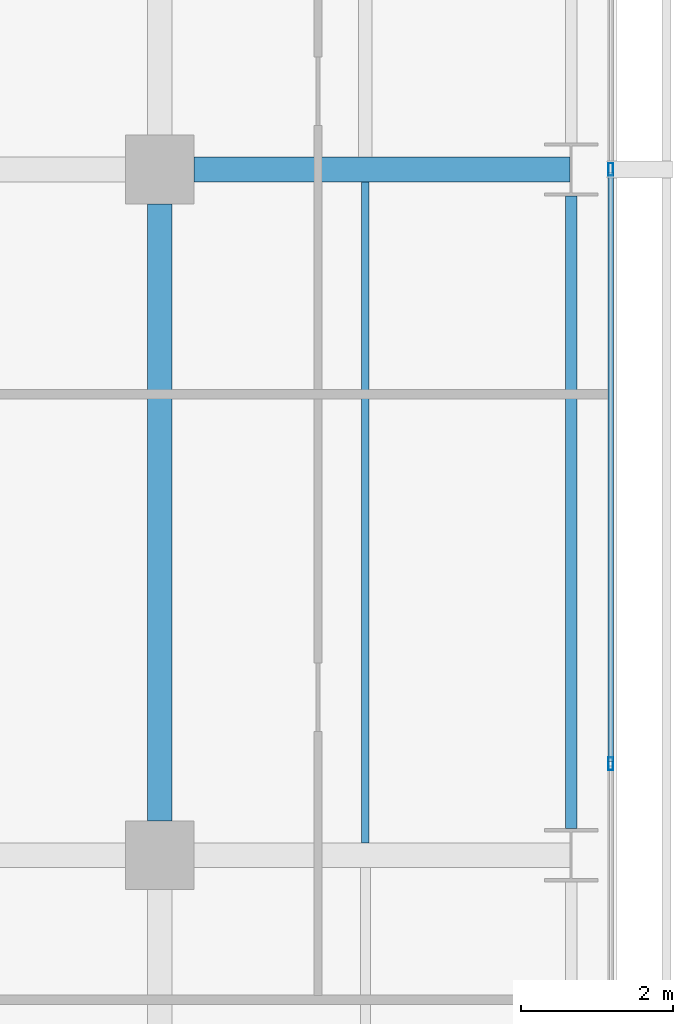
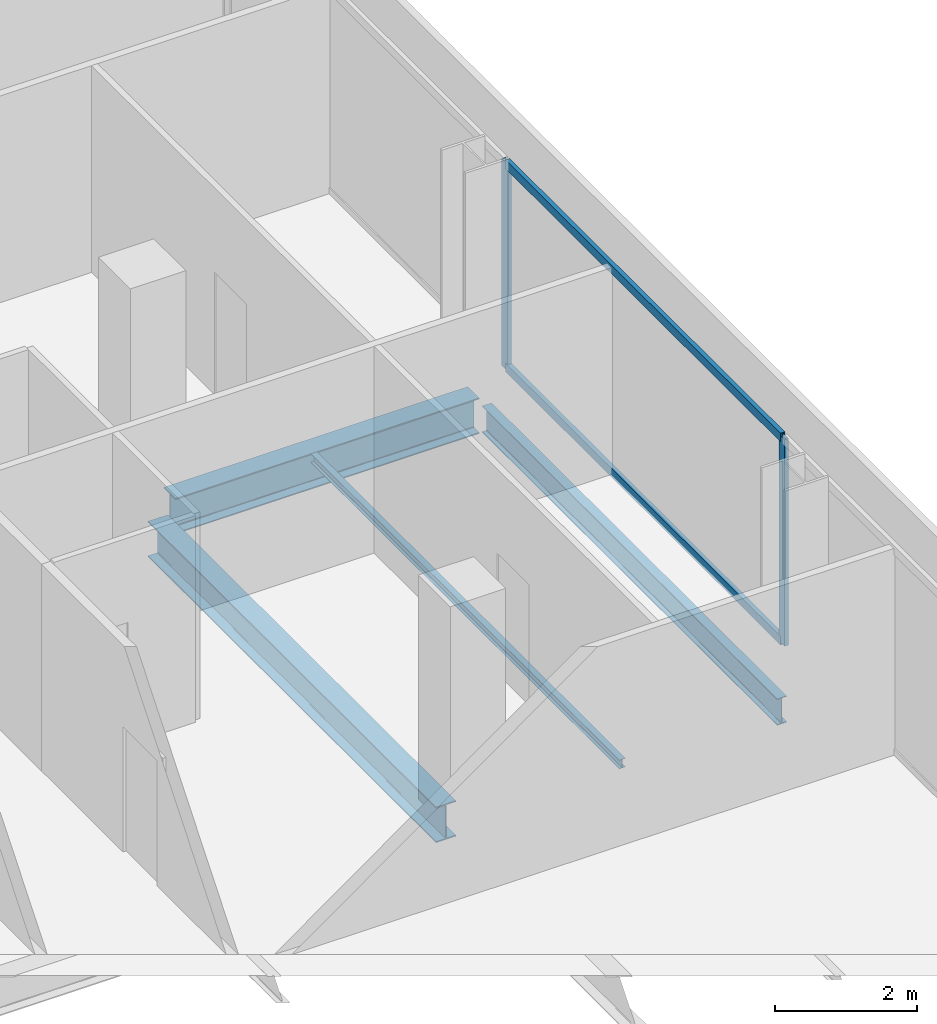
# One storey, part 19 of 39: 4 beams, 4 members, 1 element without a shape of its own.
"""IFC4 building model written with IfcOpenShell, lengths in metres."""

from ifc_helpers import new_model, si_unit, direction, frame, origin, origin_2d, place, context, subcontext, project, spatial, hollow_rectangle, i_section, extrude, material, layer, layer_set, material_profile, profile_set, type_object, element, aggregate, save


model = new_model("IFC4")

# Units and contexts
model_context = context("Model", 3, precision=1e-05, world=origin(), true_north=direction((0.0, 1.0)))
body_context = subcontext(model_context, "Body", "Model", "MODEL_VIEW")
ifc_project = project(units=[si_unit("LENGTHUNIT", "METRE"), si_unit("AREAUNIT", "SQUARE_METRE"), si_unit("VOLUMEUNIT", "CUBIC_METRE"), si_unit("PLANEANGLEUNIT", "RADIAN"), si_unit("MASSUNIT", "GRAM", prefix="KILO")], contexts=[model_context])

# Site, building, storey
site_placement = place(None, origin())
site = spatial("IfcSite", under=ifc_project, at=site_placement, CompositionType="ELEMENT")
building_placement = place(site_placement, origin())
building = spatial("IfcBuilding", under=site, at=building_placement, Name="Maruvema Waterfront Hotel and Observation Tower", CompositionType="ELEMENT")
storey_placement = place(building_placement, frame((0.0, 0.0, 111.64990234375)))
storey = spatial("IfcBuildingStorey", under=building, at=storey_placement, Name="L27", CompositionType="ELEMENT", Elevation=111.64990234375)

# Curtain wall, members
ifc_material_1 = material(Name="Anodised bronze aluminium and solar-control low-E IGU", Category="aluminium")
ifc_layer = layer(ifc_material_1, 0.159912109375, Name="Zone 1 Bronze Inner Thermal Curtain Wall System CW-02")
ifc_layer_set = layer_set([ifc_layer], Name="Anodised bronze aluminium and solar-control low-E IGU")
curtain_wall_type = type_object("IfcCurtainWallType", Name="Zone 1 Bronze Inner Thermal Curtain Wall System CW-02", PredefinedType="USERDEFINED", material=ifc_layer_set)
curtain_wall_placement = place(storey_placement, origin())
curtain_wall = element("IfcCurtainWall", 1, at=curtain_wall_placement, inside=storey, type_object=curtain_wall_type, Name="L27 Curtain Wall CW-L27-E", ObjectType="UNITISED CURTAIN WALL", PredefinedType="USERDEFINED")
ifc_material_2 = material(Name="Anodised architectural bronze aluminium", Category="aluminium")
ifc_material_profile_1 = material_profile(ifc_material_2, hollow_rectangle(XDim=0.070068359375, YDim=0.14990234375, WallThickness=0.00390625, at=origin_2d()), Name="ALU-T70x150")
ifc_profile_set_1 = profile_set([ifc_material_profile_1], Name="Anodised architectural bronze aluminium")
member_type_1 = type_object("IfcMemberType", Name="Curtain Wall Horizontal Transom ALU-T70x150", PredefinedType="USERDEFINED", material=ifc_profile_set_1)
member_1_placement = place(storey_placement, frame((64.719970703125, 19.22998046875, 0.030029296875), z_axis=(0.0, 1.0, 0.0), x_axis=(-1.0, 0.0, 0.0)))
member_1 = element("IfcMember", 2, at=member_1_placement, type_object=member_type_1, Name="CW-02 transom 3.1", ObjectType="TRANSOM", PredefinedType="USERDEFINED", context=body_context, shape_type="SweptSolid", body=[
    extrude(hollow_rectangle(XDim=0.070068359375, YDim=0.14990234375, WallThickness=0.00390625, at=origin_2d()), origin(), (0.0, 0.0, 1.0), 7.739990234375),
])
member_2_placement = place(storey_placement, frame((64.719970703125, 19.22998046875, 3.52001953125), z_axis=(0.0, 1.0, 0.0), x_axis=(-1.0, 0.0, 0.0)))
member_2 = element("IfcMember", 3, at=member_2_placement, type_object=member_type_1, Name="CW-02 transom 3.2", ObjectType="TRANSOM", PredefinedType="USERDEFINED", context=body_context, shape_type="SweptSolid", body=[
    extrude(hollow_rectangle(XDim=0.070068359375, YDim=0.14990234375, WallThickness=0.00390625, at=origin_2d()), origin(), (0.0, 0.0, 1.0), 7.739990234375),
])
ifc_material_3 = material(Name="Anodised architectural bronze aluminium", Category="aluminium")
ifc_material_profile_2 = material_profile(ifc_material_3, hollow_rectangle(XDim=0.06494140625, YDim=0.1650390625, WallThickness=0.00390625, at=origin_2d()), Name="ALU-M65x165")
ifc_profile_set_2 = profile_set([ifc_material_profile_2], Name="Anodised architectural bronze aluminium")
member_type_2 = type_object("IfcMemberType", Name="Curtain Wall Primary Mullion ALU-M65x165", PredefinedType="MULLION", material=ifc_profile_set_2)
member_3_placement = place(storey_placement, frame((64.719970703125, 19.199951171875, 0.0), z_axis=(0.0, 0.0, 1.0), x_axis=(-1.0, 0.0, 0.0)))
member_3 = element("IfcMember", 4, at=member_3_placement, type_object=member_type_2, Name="CW-02 mullion 3", PredefinedType="MULLION", context=body_context, shape_type="SweptSolid", body=[
    extrude(hollow_rectangle(XDim=0.06494140625, YDim=0.1650390625, WallThickness=0.00390625, at=origin_2d()), origin(), (0.0, 0.0, 1.0), 3.550048828125),
])
member_4_placement = place(storey_placement, frame((64.719970703125, 27.0, 0.0), z_axis=(0.0, 0.0, 1.0), x_axis=(-1.0, 0.0, 0.0)))
member_4 = element("IfcMember", 5, at=member_4_placement, type_object=member_type_2, Name="CW-02 mullion 4", PredefinedType="MULLION", context=body_context, shape_type="SweptSolid", body=[
    extrude(hollow_rectangle(XDim=0.06494140625, YDim=0.1650390625, WallThickness=0.00390625, at=origin_2d()), origin(), (0.0, 0.0, 1.0), 3.550048828125),
])
aggregate(curtain_wall, [member_3, member_4, member_1, member_2])

# Beams
ifc_material_4 = material(Name="Steel ASTM A572 Grade 50", Category="steel")
ifc_material_profile_3 = material_profile(ifc_material_4, i_section(OverallWidth=0.153076171875, OverallDepth=0.455078125, WebThickness=0.008056640625, FlangeThickness=0.01318359375, FilletRadius=0.014892578125, at=origin_2d()), Name="W460x60.0")
ifc_profile_set_3 = profile_set([ifc_material_profile_3], Name="Steel ASTM A572 Grade 50")
beam_type_1 = type_object("IfcBeamType", Name="Perimeter Spandrel Beam W460x60.0", PredefinedType="SPANDREL", material=ifc_profile_set_3)
beam_1_placement = place(storey_placement, frame((64.199951171875, 18.35009765625, -0.46728515625), z_axis=(0.0, 1.0, 0.0), x_axis=(-1.0, 0.0, 0.0)))
element("IfcBeam", 6, at=beam_1_placement, inside=storey, type_object=beam_type_1, Name="L27 Floor Girder NS-34", PredefinedType="SPANDREL", context=body_context, shape_type="SweptSolid", body=[
    extrude(i_section(OverallWidth=0.153076171875, OverallDepth=0.455078125, WebThickness=0.008056640625, FlangeThickness=0.01318359375, FilletRadius=0.014892578125, at=origin_2d()), origin(), (0.0, 0.0, 1.0), 8.2998046875),
])
ifc_material_5 = material(Name="Steel ASTM A572 Grade 50", Category="steel")
ifc_material_profile_4 = material_profile(ifc_material_5, i_section(OverallWidth=0.323974609375, OverallDepth=0.611083984375, WebThickness=0.0126953125, FlangeThickness=0.01904296875, FilletRadius=0.01806640625, at=origin_2d()), Name="W610x155.0")
ifc_profile_set_4 = profile_set([ifc_material_profile_4], Name="Steel ASTM A572 Grade 50")
beam_type_2 = type_object("IfcBeamType", Name="Primary Floor Girder W610x155.0", PredefinedType="BEAM", material=ifc_profile_set_4)
beam_2_placement = place(storey_placement, frame((59.25, 27.0, -0.54541015625), z_axis=(1.0, 0.0, 0.0), x_axis=(0.0, 1.0, 0.0)))
element("IfcBeam", 7, at=beam_2_placement, inside=storey, type_object=beam_type_2, Name="L27 Floor Girder EW-24", PredefinedType="BEAM", context=body_context, shape_type="SweptSolid", body=[
    extrude(i_section(OverallWidth=0.323974609375, OverallDepth=0.611083984375, WebThickness=0.0126953125, FlangeThickness=0.01904296875, FilletRadius=0.01806640625, at=origin_2d()), origin(), (0.0, 0.0, 1.0), 4.93603515625),
])
beam_3_placement = place(storey_placement, frame((58.800048828125, 18.449951171875, -0.54541015625), z_axis=(0.0, 1.0, 0.0), x_axis=(-1.0, 0.0, 0.0)))
element("IfcBeam", 8, at=beam_3_placement, inside=storey, type_object=beam_type_2, Name="L27 Floor Girder NS-29", PredefinedType="BEAM", context=body_context, shape_type="SweptSolid", body=[
    extrude(i_section(OverallWidth=0.323974609375, OverallDepth=0.611083984375, WebThickness=0.0126953125, FlangeThickness=0.01904296875, FilletRadius=0.01806640625, at=origin_2d()), origin(), (0.0, 0.0, 1.0), 8.10009765625),
])
ifc_material_6 = material(Name="Steel ASTM A572 Grade 50", Category="steel")
ifc_material_profile_5 = material_profile(ifc_material_6, i_section(OverallWidth=0.10009765625, OverallDepth=0.153076171875, WebThickness=0.005859375, FlangeThickness=0.007080078125, FilletRadius=0.008056640625, at=origin_2d()), Name="W150x18.0")
ifc_profile_set_5 = profile_set([ifc_material_profile_5], Name="Steel ASTM A572 Grade 50")
beam_type_3 = type_object("IfcBeamType", Name="Secondary Floor Joist W150x18.0", PredefinedType="JOIST", material=ifc_profile_set_5)
beam_4_placement = place(storey_placement, frame((61.5, 18.162109375, -0.31640625), z_axis=(0.0, 1.0, 0.0), x_axis=(-1.0, 0.0, 0.0)))
element("IfcBeam", 9, at=beam_4_placement, inside=storey, type_object=beam_type_3, Name="L27 Secondary Floor Joist JS-22", PredefinedType="JOIST", context=body_context, shape_type="SweptSolid", body=[
    extrude(i_section(OverallWidth=0.10009765625, OverallDepth=0.153076171875, WebThickness=0.005859375, FlangeThickness=0.007080078125, FilletRadius=0.008056640625, at=origin_2d()), origin(), (0.0, 0.0, 1.0), 8.67578125),
])

save(model, "model.ifc")
